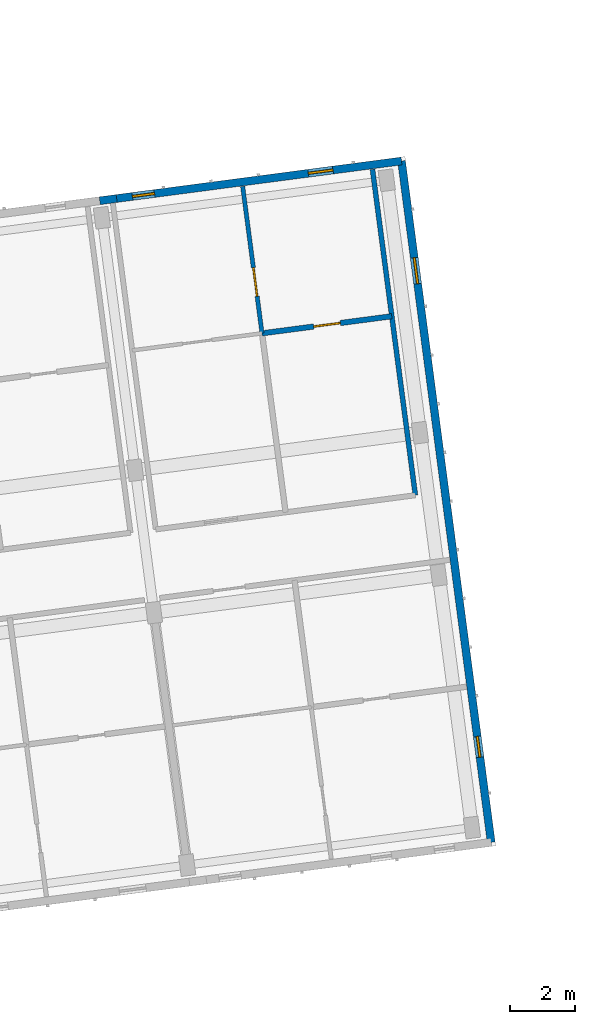
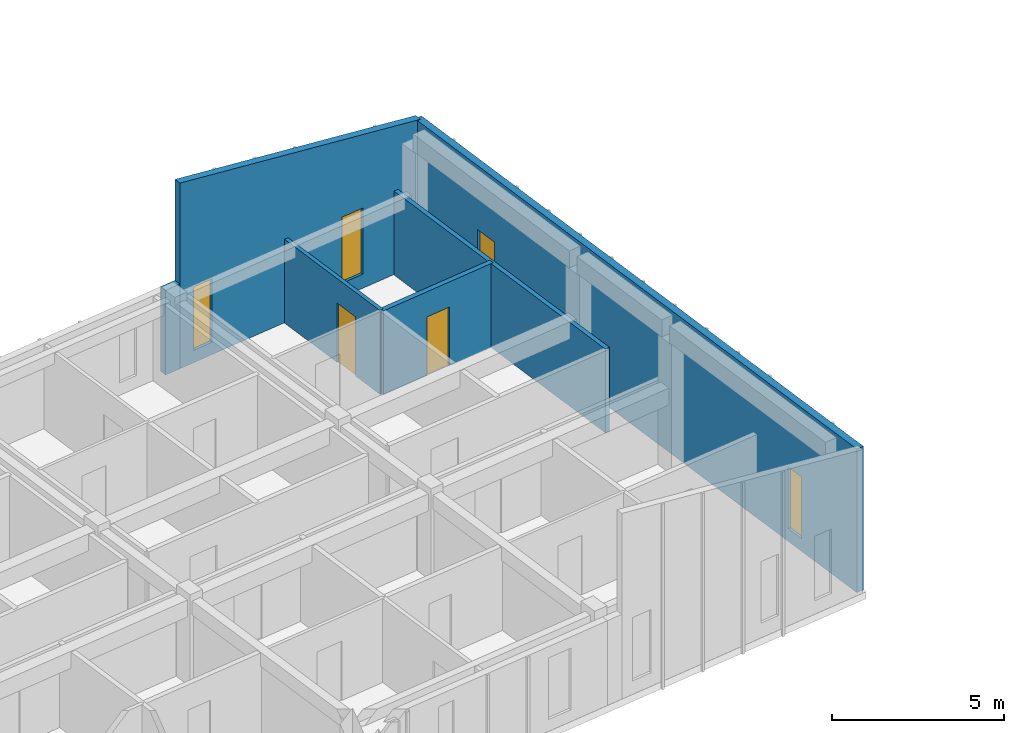
# One storey, part 16 of 31: 6 walls, 4 windows, 2 doors, 6 openings.
"""IFC4 building model written with IfcOpenShell, lengths in metres."""

from ifc_helpers import new_model, si_unit, direction, frame, frame_2d, origin, place, context, subcontext, project, spatial, polyline, rectangle, outline, extrude, material, layer, layer_set, type_object, element, fill, save


model = new_model("IFC4")

# Units and contexts
model_context = context("Model", 3, precision=1e-05, world=origin(), true_north=direction((0.0, 1.0)))
body_context = subcontext(model_context, "Body", "Model", "MODEL_VIEW")
ifc_project = project(units=[si_unit("LENGTHUNIT", "METRE"), si_unit("AREAUNIT", "SQUARE_METRE"), si_unit("VOLUMEUNIT", "CUBIC_METRE"), si_unit("PLANEANGLEUNIT", "RADIAN"), si_unit("MASSUNIT", "GRAM", prefix="KILO")], contexts=[model_context])

# Site, building, storey
site_placement = place(None, origin())
site = spatial("IfcSite", under=ifc_project, at=site_placement, CompositionType="ELEMENT")
building_placement = place(site_placement, origin())
building = spatial("IfcBuilding", under=site, at=building_placement, Name="Kestramere Prow Commons", CompositionType="ELEMENT")
storey_placement = place(building_placement, frame((0.0, 0.0, 37.64990234375)))
storey = spatial("IfcBuildingStorey", under=building, at=storey_placement, Name="L11", CompositionType="ELEMENT", Elevation=37.64990234375)

# Wall
ifc_material_1 = material(Name="Fluoropolymer Standing-Seam Zinc-Aluminium Cladding", Category="aluminium")
ifc_layer_1 = layer(ifc_material_1, 0.239990234375)
ifc_layer_set_1 = layer_set([ifc_layer_1], Name="Fluoropolymer Standing-Seam Zinc-Aluminium Cladding")
wall_type_1 = type_object("IfcWallType", Name="EW-SEAM-240", PredefinedType="SOLIDWALL", material=ifc_layer_set_1)
wall_1_placement = place(storey_placement, frame((52.14453125, 98.092529296875, 0.0), z_axis=(0.0, 0.0, 1.0), x_axis=(0.991425781816, 0.130671034095, 0.0)))
element("IfcWall", 1, at=wall_1_placement, inside=storey, type_object=wall_type_1, Name="Block A L11 North Step-Back Spandrel Wall 6", PredefinedType="SOLIDWALL", context=body_context, shape_type="SweptSolid", body=[
    extrude(rectangle(XDim=0.52490234375, YDim=0.239990234375, at=frame_2d((0.262451171875, 0.0))), origin(), (0.0, 0.0, 1.0), 3.0),
])

# Wall, openings, windows
wall_2_placement = place(storey_placement, frame((52.6650390625, 98.1611328125, 0.0), z_axis=(0.0, 0.0, 1.0), x_axis=(0.991443905089, 0.130533455715, 0.0)))
wall_2 = element("IfcWall", 2, at=wall_2_placement, inside=storey, type_object=wall_type_1, Name="Block A L11 North Standing-Seam Wall 6", PredefinedType="SOLIDWALL", context=body_context, shape_type="SweptSolid", body=[
    extrude(outline(polyline([(0.0, 0.0), (8.7998046875, 0.0), (8.800048828125, 5.0830078125), (0.0, 6.572509765625), (0.0, 0.0)])), frame((0.0, 0.1201171875, 0.0), z_axis=(0.0, -1.0, 0.0), x_axis=(1.0, 0.0, 0.0)), (0.0, 0.0, 1.0), 0.239990234375),
])
opening_1_placement = place(wall_2_placement, frame((0.48779296875, 0.0, 0.43994140625)))
opening_1 = element("IfcOpeningElement", 3, at=opening_1_placement, cuts=wall_2, Name="Opening WN-06", PredefinedType="OPENING", context=body_context, shape_type="SweptSolid", body=[
    extrude(rectangle(XDim=0.679931640625, YDim=2.239990234375, at=frame_2d((0.33984375, 1.1201171875))), frame((0.0, 0.135009765625, 0.0), z_axis=(0.0, -1.0, 0.0), x_axis=(1.0, 0.0, 0.0)), (0.0, 0.0, 1.0), 0.27001953125),
])
opening_2_placement = place(wall_2_placement, frame((5.923095703125, 0.0, 0.5)))
opening_2 = element("IfcOpeningElement", 4, at=opening_2_placement, cuts=wall_2, Name="Opening WN-10", PredefinedType="OPENING", context=body_context, shape_type="SweptSolid", body=[
    extrude(rectangle(XDim=0.760009765625, YDim=2.340087890625, at=frame_2d((0.3798828125, 1.169921875))), frame((0.0, 0.135009765625, 0.0), z_axis=(0.0, -1.0, 0.0), x_axis=(1.0, 0.0, 0.0)), (0.0, 0.0, 1.0), 0.27001953125),
])
ifc_material_2 = material(Name="Low-E Laminated Double Glazing", Category="glass")
window_type_1 = type_object("IfcWindowType", Name="WN-NAR-680A", PartitioningType="SINGLE_PANEL", PredefinedType="WINDOW", material=ifc_material_2)
window_1_placement = place(opening_1_placement, origin())
window_1 = element("IfcWindow", 5, at=window_1_placement, inside=storey, type_object=window_type_1, Name="WN-A-L11-N-5-0", OverallHeight=2.239990234375, OverallWidth=0.679931640625, PartitioningType="SINGLE_PANEL", PredefinedType="WINDOW", context=body_context, shape_type="SweptSolid", body=[
    extrude(rectangle(XDim=0.679931640625, YDim=2.239990234375, at=frame_2d((0.33984375, 1.1201171875))), frame((0.0, 0.030029296875, 0.0), z_axis=(0.0, -1.0, 0.0), x_axis=(1.0, 0.0, 0.0)), (0.0, 0.0, 1.0), 0.06005859375),
])
fill(opening_1, window_1)
window_type_2 = type_object("IfcWindowType", Name="WN-NAR-760A", PartitioningType="SINGLE_PANEL", PredefinedType="WINDOW", material=ifc_material_2)
window_2_placement = place(opening_2_placement, origin())
window_2 = element("IfcWindow", 6, at=window_2_placement, inside=storey, type_object=window_type_2, Name="WN-A-L11-N-5-1", OverallHeight=2.340087890625, OverallWidth=0.760009765625, PartitioningType="SINGLE_PANEL", PredefinedType="WINDOW", context=body_context, shape_type="SweptSolid", body=[
    extrude(rectangle(XDim=0.760009765625, YDim=2.340087890625, at=frame_2d((0.3798828125, 1.169921875))), frame((0.0, 0.030029296875, 0.0), z_axis=(0.0, -1.0, 0.0), x_axis=(1.0, 0.0, 0.0)), (0.0, 0.0, 1.0), 0.06005859375),
])
fill(opening_2, window_2)

wall_3_placement = place(storey_placement, frame((61.3896484375, 99.309814453125, 0.0), z_axis=(0.0, 0.0, 1.0), x_axis=(0.13052411616, -0.99144513469, 0.0)))
wall_3 = element("IfcWall", 7, at=wall_3_placement, inside=storey, type_object=wall_type_1, Name="Block A L11 EAV Facet Wall", PredefinedType="SOLIDWALL", context=body_context, shape_type="SweptSolid", body=[
    extrude(rectangle(XDim=21.05029296875, YDim=0.239990234375, at=frame_2d((10.525146484375, 0.0))), origin(), (0.0, 0.0, 1.0), 5.0830078125),
])
opening_3_placement = place(wall_3_placement, frame((2.989990234375, 0.0, 0.52001953125)))
opening_3 = element("IfcOpeningElement", 8, at=opening_3_placement, cuts=wall_3, Name="Opening WN-12", PredefinedType="OPENING", context=body_context, shape_type="SweptSolid", body=[
    extrude(rectangle(XDim=0.800048828125, YDim=2.300048828125, at=frame_2d((0.39990234375, 1.14990234375))), frame((0.0, 0.135009765625, 0.0), z_axis=(0.0, -1.0, 0.0), x_axis=(1.0, 0.0, 0.0)), (0.0, 0.0, 1.0), 0.27001953125),
])
opening_4_placement = place(wall_3_placement, frame((17.780029296875, 0.0, 0.449951171875)))
opening_4 = element("IfcOpeningElement", 9, at=opening_4_placement, cuts=wall_3, Name="Opening WN-04", PredefinedType="OPENING", context=body_context, shape_type="SweptSolid", body=[
    extrude(rectangle(XDim=0.639892578125, YDim=2.179931640625, at=frame_2d((0.31982421875, 1.08984375))), frame((0.0, 0.135009765625, 0.0), z_axis=(0.0, -1.0, 0.0), x_axis=(1.0, 0.0, 0.0)), (0.0, 0.0, 1.0), 0.27001953125),
])
window_type_3 = type_object("IfcWindowType", Name="WN-NAR-640A", PartitioningType="SINGLE_PANEL", PredefinedType="WINDOW", material=ifc_material_2)
window_3_placement = place(opening_4_placement, origin())
window_3 = element("IfcWindow", 10, at=window_3_placement, inside=storey, type_object=window_type_3, Name="WN-A-L11-EAV-1", OverallHeight=2.179931640625, OverallWidth=0.639892578125, PartitioningType="SINGLE_PANEL", PredefinedType="WINDOW", context=body_context, shape_type="SweptSolid", body=[
    extrude(rectangle(XDim=0.639892578125, YDim=2.179931640625, at=frame_2d((0.31982421875, 1.08984375))), frame((0.0, 0.030029296875, 0.0), z_axis=(0.0, -1.0, 0.0), x_axis=(1.0, 0.0, 0.0)), (0.0, 0.0, 1.0), 0.06005859375),
])
fill(opening_4, window_3)
window_type_4 = type_object("IfcWindowType", Name="WN-NAR-800A", PartitioningType="SINGLE_PANEL", PredefinedType="WINDOW", material=ifc_material_2)
window_4_placement = place(opening_3_placement, origin())
window_4 = element("IfcWindow", 11, at=window_4_placement, inside=storey, type_object=window_type_4, Name="WN-A-L11-EAV-0", OverallHeight=2.300048828125, OverallWidth=0.800048828125, PartitioningType="SINGLE_PANEL", PredefinedType="WINDOW", context=body_context, shape_type="SweptSolid", body=[
    extrude(rectangle(XDim=0.800048828125, YDim=2.300048828125, at=frame_2d((0.39990234375, 1.14990234375))), frame((0.0, 0.030029296875, 0.0), z_axis=(0.0, -1.0, 0.0), x_axis=(1.0, 0.0, 0.0)), (0.0, 0.0, 1.0), 0.06005859375),
])
fill(opening_3, window_4)

# Wall, opening, door
ifc_material_3 = material(Name="Lightweight Blockwork and Plaster", Category="masonry")
ifc_layer_2 = layer(ifc_material_3, 0.1298828125)
ifc_layer_set_2 = layer_set([ifc_layer_2], Name="Lightweight Blockwork and Plaster")
wall_type_2 = type_object("IfcWallType", Name="W-PART-130", PredefinedType="PARTITIONING", material=ifc_layer_set_2)
wall_4_placement = place(storey_placement, frame((57.1171875, 94.031982421875, 0.0), z_axis=(0.0, 0.0, 1.0), x_axis=(-0.130571364795, 0.991438913245, 0.0)))
wall_4 = element("IfcWall", 12, at=wall_4_placement, inside=storey, type_object=wall_type_2, Name="Interior Partition PW-A-L11-LB-N5", PredefinedType="PARTITIONING", context=body_context, shape_type="SweptSolid", body=[
    extrude(rectangle(XDim=4.539794921875, YDim=0.1298828125, at=frame_2d((2.27001953125, 0.0))), origin(), (0.0, 0.0, 1.0), 2.97021484375),
])
opening_5_placement = place(wall_4_placement, frame((1.14990234375, 0.0, 0.0)))
opening_5 = element("IfcOpeningElement", 13, at=opening_5_placement, cuts=wall_4, Name="Opening ID-10", PredefinedType="OPENING", context=body_context, shape_type="SweptSolid", body=[
    extrude(rectangle(XDim=0.8798828125, YDim=2.10009765625, at=frame_2d((0.43994140625, 1.050048828125))), frame((0.0, 0.079833984375, 0.0), z_axis=(0.0, -1.0, 0.0), x_axis=(1.0, 0.0, 0.0)), (0.0, 0.0, 1.0), 0.159912109375),
])
ifc_material_4 = material(Name="Engineered Timber Bedroom Door", Category="wood")
door_type_1 = type_object("IfcDoorType", Name="D-RM-03", OperationType="NOTDEFINED", PredefinedType="DOOR", material=ifc_material_4)
door_1_placement = place(opening_5_placement, origin())
door_1 = element("IfcDoor", 14, at=door_1_placement, inside=storey, type_object=door_type_1, Name="Interior Door DR-A-L11-BED-N5", OperationType="SINGLE_SWING_LEFT", OverallHeight=2.10009765625, OverallWidth=0.8798828125, PredefinedType="DOOR", context=body_context, shape_type="SweptSolid", body=[
    extrude(rectangle(XDim=0.8798828125, YDim=2.10009765625, at=frame_2d((0.43994140625, 1.050048828125))), frame((0.0, 0.02490234375, 0.0), z_axis=(0.0, -1.0, 0.0), x_axis=(1.0, 0.0, 0.0)), (0.0, 0.0, 1.0), 0.050048828125),
])
fill(opening_5, door_1)

# Wall
ifc_material_5 = material(Name="Masonry Compartment Wall", Category="masonry")
ifc_layer_3 = layer(ifc_material_5, 0.14990234375)
ifc_layer_set_3 = layer_set([ifc_layer_3], Name="Masonry Compartment Wall")
wall_type_3 = type_object("IfcWallType", Name="W-PART-150", PredefinedType="PARTITIONING", material=ifc_layer_set_3)
wall_5_placement = place(storey_placement, frame((61.814697265625, 89.072509765625, 0.0), z_axis=(0.0, 0.0, 1.0), x_axis=(-0.130531024319, 0.991444225204, 0.0)))
element("IfcWall", 15, at=wall_5_placement, inside=storey, type_object=wall_type_3, Name="Interior Partition PW-A-L11-NWR-5", PredefinedType="PARTITIONING", context=body_context, shape_type="SweptSolid", body=[
    extrude(rectangle(XDim=10.070068359375, YDim=0.14990234375, at=frame_2d((5.03515625, 0.0))), origin(), (0.0, 0.0, 1.0), 2.97021484375),
])

# Wall, opening, door
ifc_material_6 = material(Name="Waterproof Sanitary Masonry Wall", Category="masonry")
ifc_layer_4 = layer(ifc_material_6, 0.1650390625)
ifc_layer_set_4 = layer_set([ifc_layer_4], Name="Waterproof Sanitary Masonry Wall")
wall_type_4 = type_object("IfcWallType", Name="W-PLUMB-150", PredefinedType="PLUMBINGWALL", material=ifc_layer_set_4)
wall_6_placement = place(storey_placement, frame((57.1171875, 94.031982421875, 0.0), z_axis=(0.0, 0.0, 1.0), x_axis=(0.991451394038, 0.130476562111, 0.0)))
wall_6 = element("IfcWall", 16, at=wall_6_placement, inside=storey, type_object=wall_type_4, Name="Interior Partition PW-A-L11-MIDN2-5", PredefinedType="PLUMBINGWALL", context=body_context, shape_type="SweptSolid", body=[
    extrude(rectangle(XDim=4.009765625, YDim=0.1650390625, at=frame_2d((2.0048828125, 0.0))), origin(), (0.0, 0.0, 1.0), 2.97021484375),
])
opening_6_placement = place(wall_6_placement, frame((1.594970703125, 0.0, 0.0)))
opening_6 = element("IfcOpeningElement", 17, at=opening_6_placement, cuts=wall_6, Name="Opening ID-11", PredefinedType="OPENING", context=body_context, shape_type="SweptSolid", body=[
    extrude(rectangle(XDim=0.820068359375, YDim=2.080078125, at=frame_2d((0.41015625, 1.0400390625))), frame((0.0, 0.097412109375, 0.0), z_axis=(0.0, -1.0, 0.0), x_axis=(1.0, 0.0, 0.0)), (0.0, 0.0, 1.0), 0.195068359375),
])
ifc_material_7 = material(Name="Moisture-Resistant Timber Bathroom Door", Category="wood")
door_type_2 = type_object("IfcDoorType", Name="D-BT-01", OperationType="NOTDEFINED", PredefinedType="DOOR", material=ifc_material_7)
door_2_placement = place(opening_6_placement, origin())
door_2 = element("IfcDoor", 18, at=door_2_placement, inside=storey, type_object=door_type_2, Name="Interior Door DR-A-L11-BTH-N5", OperationType="SINGLE_SWING_RIGHT", OverallHeight=2.080078125, OverallWidth=0.820068359375, PredefinedType="DOOR", context=body_context, shape_type="SweptSolid", body=[
    extrude(rectangle(XDim=0.820068359375, YDim=2.080078125, at=frame_2d((0.41015625, 1.0400390625))), frame((0.0, 0.02490234375, 0.0), z_axis=(0.0, -1.0, 0.0), x_axis=(1.0, 0.0, 0.0)), (0.0, 0.0, 1.0), 0.050048828125),
])
fill(opening_6, door_2)

save(model, "model.ifc")
